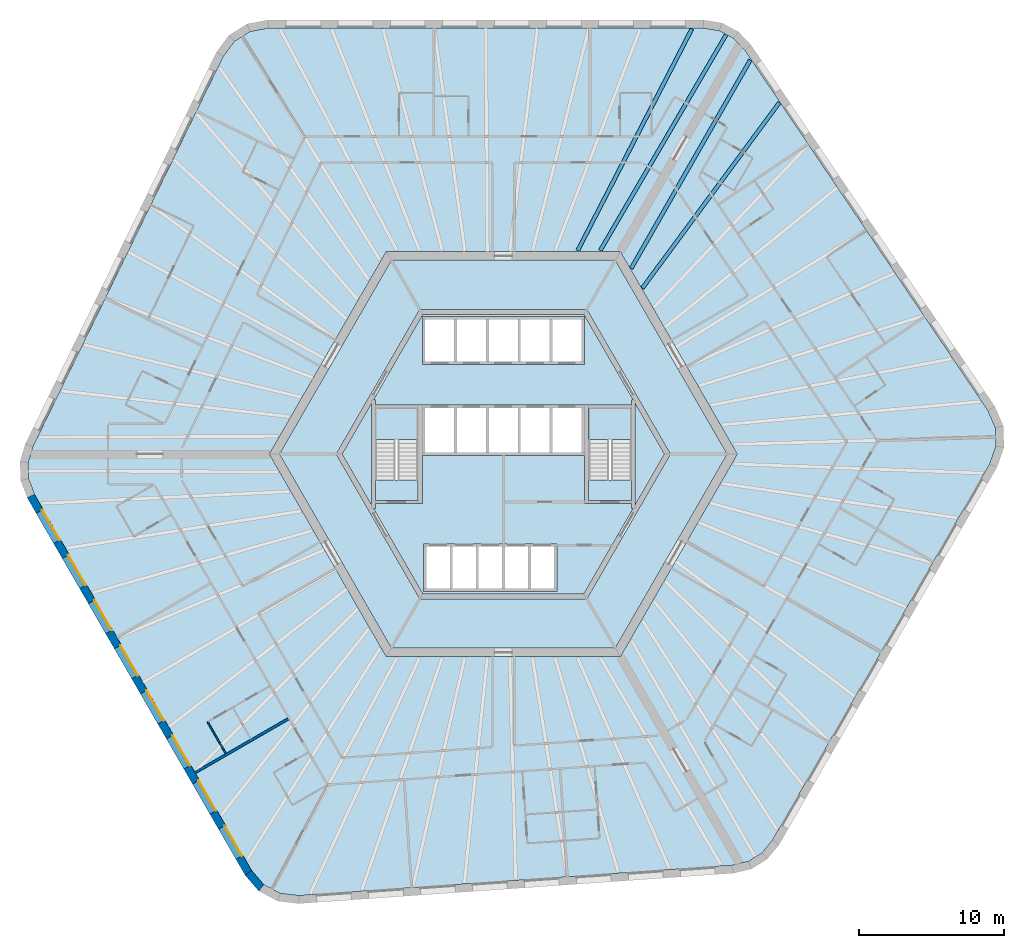
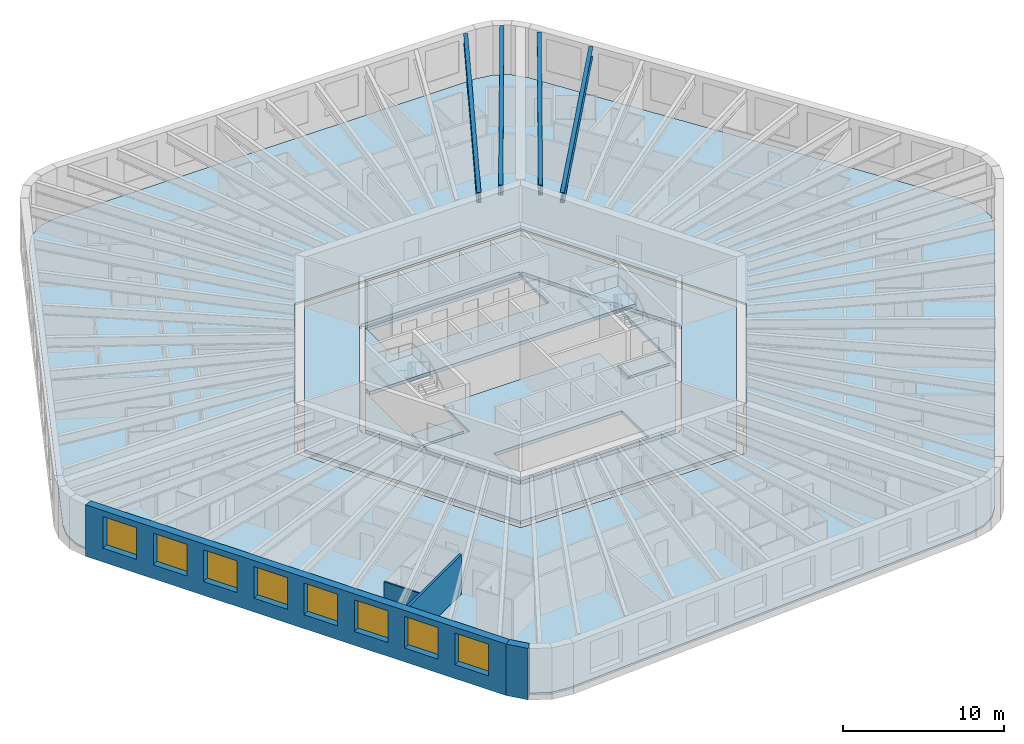
# One storey, part 2 of 11: 10 slabs, 8 windows, 4 beams, 4 walls, 8 openings, 2 elements without a shape of their own.
"""IFC4 building model written with IfcOpenShell, lengths in metres."""

from ifc_helpers import new_model, si_unit, direction, frame, frame_2d, origin, origin_2d, place, context, subcontext, project, spatial, polyline, rectangle, i_section, outline, extrude, material, layer, layer_set, material_profile, profile_set, type_object, element, fill, aggregate, save


model = new_model("IFC4")

# Units and contexts
model_context = context("Model", 3, precision=1e-05, world=origin(), true_north=direction((0.0, 1.0)))
body_context = subcontext(model_context, "Body", "Model", "MODEL_VIEW")
ifc_project = project(units=[si_unit("LENGTHUNIT", "METRE"), si_unit("AREAUNIT", "SQUARE_METRE"), si_unit("VOLUMEUNIT", "CUBIC_METRE"), si_unit("PLANEANGLEUNIT", "RADIAN"), si_unit("MASSUNIT", "GRAM", prefix="KILO")], contexts=[model_context])

# Site, building, storey
site_placement = place(None, origin())
site = spatial("IfcSite", under=ifc_project, at=site_placement, CompositionType="ELEMENT")
building_placement = place(site_placement, origin())
building = spatial("IfcBuilding", under=site, at=building_placement, Name="Tarnside Tower", CompositionType="ELEMENT")
storey_placement = place(building_placement, frame((0.0, 0.0, 41.39990234375)))
storey = spatial("IfcBuildingStorey", under=building, at=storey_placement, Name="L07", CompositionType="ELEMENT", Elevation=41.39990234375)

# Beams
ifc_material_1 = material(Name="Steel S355", Category="steel")
ifc_material_profile = material_profile(ifc_material_1, i_section(OverallWidth=0.2666015625, OverallDepth=0.76220703125, WebThickness=0.014404296875, FlangeThickness=0.021484375, FilletRadius=0.0166015625, at=origin_2d()), Name="UB 762x267x173")
ifc_profile_set = profile_set([ifc_material_profile], Name="Steel S355")
beam_type = type_object("IfcBeamType", Name="Floor beam UB 762x267x173", PredefinedType="BEAM", material=ifc_profile_set)
beam_1_placement = place(storey_placement, frame((13.0283203125, 29.37890625, 3.368896484375), z_axis=(-0.457973226459, -0.888965985765, 0.0), x_axis=(0.888965985765, -0.457973226459, 0.0)))
element("IfcBeam", 1, at=beam_1_placement, inside=storey, type_object=beam_type, Name="Floor beam F1.01", PredefinedType="BEAM", context=body_context, shape_type="SweptSolid", body=[
    extrude(i_section(OverallWidth=0.2666015625, OverallDepth=0.76220703125, WebThickness=0.014404296875, FlangeThickness=0.021484375, FilletRadius=0.0166015625, at=origin_2d()), origin(), (0.0, 0.0, 1.0), 17.219970703125),
])
beam_2_placement = place(storey_placement, frame((19.072021484375, 24.28857421875, 3.368896484375), z_axis=(-0.593986893499, -0.804474717037, 0.0), x_axis=(0.804474717037, -0.593986893499, 0.0)))
element("IfcBeam", 2, at=beam_2_placement, inside=storey, type_object=beam_type, Name="Floor beam F6.08", PredefinedType="BEAM", context=body_context, shape_type="SweptSolid", body=[
    extrude(i_section(OverallWidth=0.2666015625, OverallDepth=0.76220703125, WebThickness=0.014404296875, FlangeThickness=0.021484375, FilletRadius=0.0166015625, at=origin_2d()), origin(), (0.0, 0.0, 1.0), 15.934326171875),
])
beam_3_placement = place(storey_placement, frame((17.066162109375, 27.235107421875, 3.368896484375), z_axis=(-0.49622611841, -0.868193319145, 0.0), x_axis=(0.868193319145, -0.49622611841, 0.0)))
element("IfcBeam", 3, at=beam_3_placement, inside=storey, type_object=beam_type, Name="Floor beam F6.09", PredefinedType="BEAM", context=body_context, shape_type="SweptSolid", body=[
    extrude(i_section(OverallWidth=0.2666015625, OverallDepth=0.76220703125, WebThickness=0.014404296875, FlangeThickness=0.021484375, FilletRadius=0.0166015625, at=origin_2d()), origin(), (0.0, 0.0, 1.0), 16.586669921875),
])
beam_4_placement = place(storey_placement, frame((15.4013671875, 28.990478515625, 3.368896484375), z_axis=(-0.503858723096, -0.863786077198, 0.0), x_axis=(0.863786077198, -0.503858723096, 0.0)))
element("IfcBeam", 4, at=beam_4_placement, inside=storey, type_object=beam_type, Name="Floor beam C6", PredefinedType="BEAM", context=body_context, shape_type="SweptSolid", body=[
    extrude(i_section(OverallWidth=0.2666015625, OverallDepth=0.76220703125, WebThickness=0.014404296875, FlangeThickness=0.021484375, FilletRadius=0.0166015625, at=origin_2d()), origin(), (0.0, 0.0, 1.0), 17.2744140625),
])

# Slabs
ifc_material_2 = material(Name="Concrete C35/45", Category="concrete")
ifc_layer_1 = layer(ifc_material_2, 0.14990234375)
ifc_layer_set_1 = layer_set([ifc_layer_1], Name="Composite floor slab 150")
slab_type_1 = type_object("IfcSlabType", Name="Composite floor slab 150", PredefinedType="FLOOR", material=ifc_layer_set_1)
slab_1_placement = place(storey_placement, frame((0.0, 0.0, -0.14990234375)))
element("IfcSlab", 5, at=slab_1_placement, inside=storey, type_object=slab_type_1, Name="Floor slab L07", PredefinedType="FLOOR", context=body_context, shape_type="SweptSolid", body=[
    extrude(outline(polyline([(14.927490234375, 29.264892578125), (15.91455078125, 28.740234375), (16.697265625, 27.91064453125), (33.48583984375, 3.0205078125), (34.001220703125, 1.825439453125), (34.0458984375, 0.55078125), (33.614990234375, -0.67724609375), (18.603515625, -26.677978515625), (17.880615234375, -27.56005859375), (16.9326171875, -28.15234375), (15.82275390625, -28.41552734375), (-14.127197265625, -30.509765625), (-15.419921875, -30.358642578125), (-16.5458984375, -29.760009765625), (-17.39404296875, -28.772705078125), (-32.405517578125, -2.772216796875), (-32.80810546875, -1.704833984375), (-32.846923828125, -0.587890625), (-32.52001953125, 0.5048828125), (-19.358642578125, 27.4892578125), (-18.58154296875, 28.533203125), (-17.5, 29.208984375), (-16.220947265625, 29.449951171875), (13.802001953125, 29.449951171875), (14.927490234375, 29.264892578125)]), holes=[polyline([(-16.165771484375, 0.0), (-8.0830078125, -14.0), (8.0830078125, -14.0), (16.165771484375, 0.0), (8.0830078125, 14.0), (-8.0830078125, 14.0), (-16.165771484375, 0.0)])]), origin(), (0.0, 0.0, 1.0), 0.14990234375),
])
ifc_material_3 = material(Name="Concrete C40/50", Category="concrete")
ifc_layer_2 = layer(ifc_material_3, 0.25)
ifc_layer_set_2 = layer_set([ifc_layer_2], Name="Core slab C40/50")
slab_type_2 = type_object("IfcSlabType", Name="Core slab C40/50", PredefinedType="FLOOR", material=ifc_layer_set_2)
slab_2_placement = place(storey_placement, frame((0.0, 0.0, -0.25)))
element("IfcSlab", 6, at=slab_2_placement, inside=storey, type_object=slab_type_2, Name="L07 core floor slab 1", PredefinedType="FLOOR", context=body_context, shape_type="SweptSolid", body=[
    extrude(outline(polyline([(-15.472900390625, 0.0), (-7.736572265625, 13.39990234375), (7.736572265625, 13.39990234375), (15.472900390625, 0.0), (7.736572265625, -13.39990234375), (-7.736572265625, -13.39990234375), (-15.472900390625, 0.0)]), holes=[polyline([(5.823974609375, -9.91259765625), (11.49658203125, -0.08740234375), (11.344970703125, 0.0), (11.49658203125, 0.08740234375), (5.823974609375, 9.91259765625), (5.672607421875, 9.824951171875), (5.672607421875, 10.0), (-5.672607421875, 10.0), (-5.672607421875, 9.824951171875), (-5.823974609375, 9.91259765625), (-11.49658203125, 0.08740234375), (-11.344970703125, 0.0), (-11.49658203125, -0.08740234375), (-5.823974609375, -9.91259765625), (-5.672607421875, -9.824951171875), (-5.672607421875, -10.0), (5.672607421875, -10.0), (5.672607421875, -9.824951171875), (5.823974609375, -9.91259765625)])]), origin(), (0.0, 0.0, 1.0), 0.25),
])
slab_3_placement = place(storey_placement, frame((0.0, 0.0, -0.25)))
element("IfcSlab", 7, at=slab_3_placement, inside=storey, type_object=slab_type_2, Name="L07 core floor slab 2", PredefinedType="FLOOR", context=body_context, shape_type="SweptSolid", body=[
    extrude(outline(polyline([(-8.97509765625, 3.7548828125), (-5.5712890625, 9.64990234375), (5.5712890625, 9.64990234375), (8.97509765625, 3.7548828125), (8.85009765625, 3.7548828125), (8.85009765625, 3.39990234375), (5.89990234375, 3.39990234375), (5.60009765625, 3.39990234375), (5.60009765625, 3.39990234375), (-5.60009765625, 3.39990234375), (-5.89990234375, 3.39990234375), (-8.85009765625, 3.39990234375), (-8.85009765625, 3.7548828125), (-8.97509765625, 3.7548828125)]), holes=[polyline([(-5.60009765625, 6.199951171875), (5.60009765625, 6.199951171875), (5.60009765625, 6.39990234375), (5.60009765625, 9.300048828125), (5.60009765625, 9.5), (-5.60009765625, 9.5), (-5.60009765625, 9.300048828125), (-5.60009765625, 6.39990234375), (-5.60009765625, 6.199951171875)])]), origin(), (0.0, 0.0, 1.0), 0.25),
])
slab_4_placement = place(storey_placement, frame((0.0, 0.0, -0.25)))
element("IfcSlab", 8, at=slab_4_placement, inside=storey, type_object=slab_type_2, Name="L07 core floor slab 3", PredefinedType="FLOOR", context=body_context, shape_type="SweptSolid", body=[
    extrude(outline(polyline([(5.60009765625, -3.39990234375), (5.89990234375, -3.39990234375), (8.85009765625, -3.39990234375), (8.85009765625, -3.7548828125), (8.97509765625, -3.7548828125), (5.5712890625, -9.64990234375), (-5.5712890625, -9.64990234375), (-8.97509765625, -3.7548828125), (-8.85009765625, -3.7548828125), (-8.85009765625, -3.39990234375), (-5.89990234375, -3.39990234375), (-5.60009765625, -3.39990234375), (-5.60009765625, -0.10009765625), (5.60009765625, -0.10009765625), (5.60009765625, -3.39990234375)]), holes=[polyline([(-5.5, -9.300048828125), (-5.5, -9.5), (3.699951171875, -9.5), (3.699951171875, -9.300048828125), (3.699951171875, -6.39990234375), (3.699951171875, -6.199951171875), (-5.5, -6.199951171875), (-5.5, -6.39990234375), (-5.5, -9.300048828125)])]), origin(), (0.0, 0.0, 1.0), 0.25),
])
slab_5_placement = place(storey_placement, frame((0.0, 0.0, -0.25)))
element("IfcSlab", 9, at=slab_5_placement, inside=storey, type_object=slab_type_2, Name="L07 core floor slab 4", PredefinedType="FLOOR", context=body_context, shape_type="SweptSolid", body=[
    extrude(outline(polyline([(-11.142822265625, 0.0), (-9.10009765625, 3.538330078125), (-9.10009765625, -3.538330078125), (-11.142822265625, 0.0)])), origin(), (0.0, 0.0, 1.0), 0.25),
])
slab_6_placement = place(storey_placement, frame((0.0, 0.0, -0.25)))
element("IfcSlab", 10, at=slab_6_placement, inside=storey, type_object=slab_type_2, Name="L07 core floor slab 5", PredefinedType="FLOOR", context=body_context, shape_type="SweptSolid", body=[
    extrude(outline(polyline([(-8.85009765625, -1.800048828125), (-5.89990234375, -1.800048828125), (-5.89990234375, -3.199951171875), (-8.85009765625, -3.199951171875), (-8.85009765625, -1.800048828125)])), origin(), (0.0, 0.0, 1.0), 0.25),
])
slab_7_placement = place(storey_placement, frame((0.0, 0.0, -0.25)))
element("IfcSlab", 11, at=slab_7_placement, inside=storey, type_object=slab_type_2, Name="L07 core floor slab 6", PredefinedType="FLOOR", context=body_context, shape_type="SweptSolid", body=[
    extrude(outline(polyline([(5.89990234375, -3.199951171875), (5.89990234375, -1.800048828125), (8.85009765625, -1.800048828125), (8.85009765625, -3.199951171875), (5.89990234375, -3.199951171875)])), origin(), (0.0, 0.0, 1.0), 0.25),
])
slab_8_placement = place(storey_placement, frame((0.0, 0.0, -0.25)))
element("IfcSlab", 12, at=slab_8_placement, inside=storey, type_object=slab_type_2, Name="L07 core floor slab 7", PredefinedType="FLOOR", context=body_context, shape_type="SweptSolid", body=[
    extrude(outline(polyline([(9.10009765625, -3.538330078125), (9.10009765625, 3.538330078125), (11.142822265625, 0.0), (9.10009765625, -3.538330078125)])), origin(), (0.0, 0.0, 1.0), 0.25),
])

# Stair, slab
stair_type = type_object("IfcStairType", Name="Exit stair 1400 clear", PredefinedType="HALF_TURN_STAIR", material=ifc_material_3)
stair_1_placement = place(storey_placement, origin())
stair_1 = element("IfcStair", 13, at=stair_1_placement, inside=storey, type_object=stair_type, Name="L07 Exit stair 1", PredefinedType="HALF_TURN_STAIR")
ifc_layer_3 = layer(ifc_material_3, 0.199951171875)
ifc_layer_set_3 = layer_set([ifc_layer_3], Name="Stair landing 200 C40/50")
slab_type_3 = type_object("IfcSlabType", Name="Stair landing 200 C40/50", PredefinedType="LANDING", material=ifc_layer_set_3)
slab_9_placement = place(storey_placement, frame((0.0, 0.0, 1.75)))
slab_9 = element("IfcSlab", 14, at=slab_9_placement, type_object=slab_type_3, Name="ST1 landing 1", PredefinedType="LANDING", context=body_context, shape_type="SweptSolid", body=[
    extrude(outline(polyline([(8.85009765625, 1.0), (8.85009765625, 3.199951171875), (5.89990234375, 3.199951171875), (5.89990234375, 1.0), (8.85009765625, 1.0)])), origin(), (0.0, 0.0, 1.0), 0.2001953125),
])
aggregate(stair_1, [slab_9])

stair_2_placement = place(storey_placement, origin())
stair_2 = element("IfcStair", 15, at=stair_2_placement, inside=storey, type_object=stair_type, Name="L07 Exit stair 2", PredefinedType="HALF_TURN_STAIR")
slab_10_placement = place(storey_placement, frame((0.0, 0.0, 1.75)))
slab_10 = element("IfcSlab", 16, at=slab_10_placement, type_object=slab_type_3, Name="ST2 landing 1", PredefinedType="LANDING", context=body_context, shape_type="SweptSolid", body=[
    extrude(outline(polyline([(-5.89990234375, 1.0), (-5.89990234375, 3.199951171875), (-8.85009765625, 3.199951171875), (-8.85009765625, 1.0), (-5.89990234375, 1.0)])), origin(), (0.0, 0.0, 1.0), 0.2001953125),
])
aggregate(stair_2, [slab_10])

# Walls
ifc_material_4 = material(Name="Gypsum board partition on steel studs", Category="steel")
ifc_layer_4 = layer(ifc_material_4, 0.179931640625)
ifc_layer_set_4 = layer_set([ifc_layer_4], Name="Demising wall 180 EI 60")
wall_type_1 = type_object("IfcWallType", Name="Demising wall 180 EI 60", PredefinedType="PARTITIONING", material=ifc_layer_set_4)
wall_1_placement = place(storey_placement, frame((-21.298828125, -22.00927734375, 0.0), z_axis=(0.0, 0.0, 1.0), x_axis=(0.866014745021, 0.500018461065, 0.0)))
element("IfcWall", 17, at=wall_1_placement, inside=storey, type_object=wall_type_1, Name="Demising wall 01107", PredefinedType="PARTITIONING", context=body_context, shape_type="SweptSolid", body=[
    extrude(rectangle(XDim=7.425048828125, YDim=0.179931640625, at=frame_2d((3.71240234375, 0.0))), origin(), (0.0, 0.0, 1.0), 2.98779296875),
])
ifc_layer_5 = layer(ifc_material_4, 0.10009765625)
ifc_layer_set_5 = layer_set([ifc_layer_5], Name="Partition 100")
wall_type_2 = type_object("IfcWallType", Name="Partition 100", PredefinedType="PARTITIONING", material=ifc_layer_set_5)
wall_2_placement = place(storey_placement, frame((-19.178955078125, -20.68115234375, 0.0), z_axis=(0.0, 0.0, 1.0), x_axis=(-0.499989096993, 0.866031698547, 0.0)))
element("IfcWall", 18, at=wall_2_placement, inside=storey, type_object=wall_type_2, Name="Partition wall 01105", PredefinedType="PARTITIONING", context=body_context, shape_type="SweptSolid", body=[
    extrude(rectangle(XDim=2.509765625, YDim=0.10009765625, at=frame_2d((1.2548828125, 0.0))), origin(), (0.0, 0.0, 1.0), 2.98779296875),
])

# Wall, openings, windows
ifc_material_5 = material(Name="Facing brick", Category="masonry")
ifc_layer_6 = layer(ifc_material_5, 0.10205078125)
ifc_material_6 = material(Name="Concrete C60/75 precast", Category="concrete")
ifc_layer_7 = layer(ifc_material_6, 0.347900390625)
ifc_material_7 = material(Name="Mineral wool insulation")
ifc_layer_8 = layer(ifc_material_7, 0.10009765625)
ifc_layer_set_6 = layer_set([ifc_layer_6, ifc_layer_7, ifc_layer_8], Name="Tube wall 550 brick faced")
wall_type_3 = type_object("IfcWallType", Name="Tube wall 550 brick faced", PredefinedType="SOLIDWALL", material=ifc_layer_set_6)
wall_3_placement = place(storey_placement, frame((-32.65478515625, -2.89013671875, -0.14990234375), z_axis=(0.0, 0.0, 1.0), x_axis=(0.499997711317, -0.866026725152, 0.0)))
wall_3 = element("IfcWall", 19, at=wall_3_placement, inside=storey, type_object=wall_type_3, Name="Tube wall L07 F3 flush 08", PredefinedType="SOLIDWALL", context=body_context, shape_type="SweptSolid", body=[
    extrude(outline(polyline([(-0.0224609375, -0.27490234375), (30.0966796875, -0.27490234375), (30.04541015625, 0.27490234375), (0.0224609375, 0.27490234375), (-0.0224609375, -0.27490234375)])), origin(), (0.0, 0.0, 1.0), 3.89990234375),
])
opening_1_placement = place(wall_3_placement, frame((1.235595703125, 0.0, 1.050048828125)))
opening_1 = element("IfcOpeningElement", 20, at=opening_1_placement, cuts=wall_3, Name="Opening WH", PredefinedType="OPENING", context=body_context, shape_type="SweptSolid", body=[
    extrude(rectangle(XDim=2.39990234375, YDim=2.39990234375, at=frame_2d((1.199951171875, 1.199951171875))), frame((0.0, 0.28515625, 0.0), z_axis=(0.0, -1.0, 0.0), x_axis=(1.0, 0.0, 0.0)), (0.0, 0.0, 1.0), 0.570068359375),
])
opening_2_placement = place(wall_3_placement, frame((4.83544921875, 0.0, 1.050048828125)))
opening_2 = element("IfcOpeningElement", 21, at=opening_2_placement, cuts=wall_3, Name="Opening WH", PredefinedType="OPENING", context=body_context, shape_type="SweptSolid", body=[
    extrude(rectangle(XDim=2.39990234375, YDim=2.39990234375, at=frame_2d((1.199951171875, 1.199951171875))), frame((0.0, 0.28515625, 0.0), z_axis=(0.0, -1.0, 0.0), x_axis=(1.0, 0.0, 0.0)), (0.0, 0.0, 1.0), 0.570068359375),
])
opening_3_placement = place(wall_3_placement, frame((8.435546875, 0.0, 1.050048828125)))
opening_3 = element("IfcOpeningElement", 22, at=opening_3_placement, cuts=wall_3, Name="Opening WH", PredefinedType="OPENING", context=body_context, shape_type="SweptSolid", body=[
    extrude(rectangle(XDim=2.39990234375, YDim=2.39990234375, at=frame_2d((1.199951171875, 1.199951171875))), frame((0.0, 0.28515625, 0.0), z_axis=(0.0, -1.0, 0.0), x_axis=(1.0, 0.0, 0.0)), (0.0, 0.0, 1.0), 0.570068359375),
])
opening_4_placement = place(wall_3_placement, frame((12.035400390625, 0.0, 1.050048828125)))
opening_4 = element("IfcOpeningElement", 23, at=opening_4_placement, cuts=wall_3, Name="Opening WH", PredefinedType="OPENING", context=body_context, shape_type="SweptSolid", body=[
    extrude(rectangle(XDim=2.39990234375, YDim=2.39990234375, at=frame_2d((1.199951171875, 1.199951171875))), frame((0.0, 0.28515625, 0.0), z_axis=(0.0, -1.0, 0.0), x_axis=(1.0, 0.0, 0.0)), (0.0, 0.0, 1.0), 0.570068359375),
])
opening_5_placement = place(wall_3_placement, frame((15.635498046875, 0.0, 1.050048828125)))
opening_5 = element("IfcOpeningElement", 24, at=opening_5_placement, cuts=wall_3, Name="Opening WH", PredefinedType="OPENING", context=body_context, shape_type="SweptSolid", body=[
    extrude(rectangle(XDim=2.39990234375, YDim=2.39990234375, at=frame_2d((1.199951171875, 1.199951171875))), frame((0.0, 0.28515625, 0.0), z_axis=(0.0, -1.0, 0.0), x_axis=(1.0, 0.0, 0.0)), (0.0, 0.0, 1.0), 0.570068359375),
])
opening_6_placement = place(wall_3_placement, frame((19.235595703125, 0.0, 1.050048828125)))
opening_6 = element("IfcOpeningElement", 25, at=opening_6_placement, cuts=wall_3, Name="Opening WH", PredefinedType="OPENING", context=body_context, shape_type="SweptSolid", body=[
    extrude(rectangle(XDim=2.39990234375, YDim=2.39990234375, at=frame_2d((1.199951171875, 1.199951171875))), frame((0.0, 0.28515625, 0.0), z_axis=(0.0, -1.0, 0.0), x_axis=(1.0, 0.0, 0.0)), (0.0, 0.0, 1.0), 0.570068359375),
])
opening_7_placement = place(wall_3_placement, frame((22.83544921875, 0.0, 1.050048828125)))
opening_7 = element("IfcOpeningElement", 26, at=opening_7_placement, cuts=wall_3, Name="Opening WH", PredefinedType="OPENING", context=body_context, shape_type="SweptSolid", body=[
    extrude(rectangle(XDim=2.39990234375, YDim=2.39990234375, at=frame_2d((1.199951171875, 1.199951171875))), frame((0.0, 0.28515625, 0.0), z_axis=(0.0, -1.0, 0.0), x_axis=(1.0, 0.0, 0.0)), (0.0, 0.0, 1.0), 0.570068359375),
])
opening_8_placement = place(wall_3_placement, frame((26.435546875, 0.0, 1.050048828125)))
opening_8 = element("IfcOpeningElement", 27, at=opening_8_placement, cuts=wall_3, Name="Opening WH", PredefinedType="OPENING", context=body_context, shape_type="SweptSolid", body=[
    extrude(rectangle(XDim=2.39990234375, YDim=2.39990234375, at=frame_2d((1.199951171875, 1.199951171875))), frame((0.0, 0.28515625, 0.0), z_axis=(0.0, -1.0, 0.0), x_axis=(1.0, 0.0, 0.0)), (0.0, 0.0, 1.0), 0.570068359375),
])
ifc_material_8 = material(Name="Aluminium-framed double glazing", Category="aluminium")
window_type = type_object("IfcWindowType", Name="Hotel window 2400 x 2400", PartitioningType="DOUBLE_PANEL_VERTICAL", PredefinedType="WINDOW", material=ifc_material_8)
window_1_placement = place(opening_1_placement, frame((0.0, 0.205078125, 0.0)))
window_1 = element("IfcWindow", 28, at=window_1_placement, inside=storey, type_object=window_type, Name="E.WN.L07.F3.00", OverallHeight=2.39990234375, OverallWidth=2.39990234375, PartitioningType="DOUBLE_PANEL_VERTICAL", PredefinedType="WINDOW", context=body_context, shape_type="SweptSolid", body=[
    extrude(rectangle(XDim=2.39990234375, YDim=2.39990234375, at=frame_2d((1.199951171875, 1.199951171875))), frame((0.0, 0.030029296875, 0.0), z_axis=(0.0, -1.0, 0.0), x_axis=(1.0, 0.0, 0.0)), (0.0, 0.0, 1.0), 0.06005859375),
])
fill(opening_1, window_1)
window_2_placement = place(opening_2_placement, frame((0.0, 0.205078125, 0.0)))
window_2 = element("IfcWindow", 29, at=window_2_placement, inside=storey, type_object=window_type, Name="E.WN.L07.F3.01", OverallHeight=2.39990234375, OverallWidth=2.39990234375, PartitioningType="DOUBLE_PANEL_VERTICAL", PredefinedType="WINDOW", context=body_context, shape_type="SweptSolid", body=[
    extrude(rectangle(XDim=2.39990234375, YDim=2.39990234375, at=frame_2d((1.199951171875, 1.199951171875))), frame((0.0, 0.030029296875, 0.0), z_axis=(0.0, -1.0, 0.0), x_axis=(1.0, 0.0, 0.0)), (0.0, 0.0, 1.0), 0.06005859375),
])
fill(opening_2, window_2)
window_3_placement = place(opening_3_placement, frame((0.0, 0.205078125, 0.0)))
window_3 = element("IfcWindow", 30, at=window_3_placement, inside=storey, type_object=window_type, Name="E.WN.L07.F3.02", OverallHeight=2.39990234375, OverallWidth=2.39990234375, PartitioningType="DOUBLE_PANEL_VERTICAL", PredefinedType="WINDOW", context=body_context, shape_type="SweptSolid", body=[
    extrude(rectangle(XDim=2.39990234375, YDim=2.39990234375, at=frame_2d((1.199951171875, 1.199951171875))), frame((0.0, 0.030029296875, 0.0), z_axis=(0.0, -1.0, 0.0), x_axis=(1.0, 0.0, 0.0)), (0.0, 0.0, 1.0), 0.06005859375),
])
fill(opening_3, window_3)
window_4_placement = place(opening_4_placement, frame((0.0, 0.205078125, 0.0)))
window_4 = element("IfcWindow", 31, at=window_4_placement, inside=storey, type_object=window_type, Name="E.WN.L07.F3.03", OverallHeight=2.39990234375, OverallWidth=2.39990234375, PartitioningType="DOUBLE_PANEL_VERTICAL", PredefinedType="WINDOW", context=body_context, shape_type="SweptSolid", body=[
    extrude(rectangle(XDim=2.39990234375, YDim=2.39990234375, at=frame_2d((1.199951171875, 1.199951171875))), frame((0.0, 0.030029296875, 0.0), z_axis=(0.0, -1.0, 0.0), x_axis=(1.0, 0.0, 0.0)), (0.0, 0.0, 1.0), 0.06005859375),
])
fill(opening_4, window_4)
window_5_placement = place(opening_5_placement, frame((0.0, 0.205078125, 0.0)))
window_5 = element("IfcWindow", 32, at=window_5_placement, inside=storey, type_object=window_type, Name="E.WN.L07.F3.04", OverallHeight=2.39990234375, OverallWidth=2.39990234375, PartitioningType="DOUBLE_PANEL_VERTICAL", PredefinedType="WINDOW", context=body_context, shape_type="SweptSolid", body=[
    extrude(rectangle(XDim=2.39990234375, YDim=2.39990234375, at=frame_2d((1.199951171875, 1.199951171875))), frame((0.0, 0.030029296875, 0.0), z_axis=(0.0, -1.0, 0.0), x_axis=(1.0, 0.0, 0.0)), (0.0, 0.0, 1.0), 0.06005859375),
])
fill(opening_5, window_5)
window_6_placement = place(opening_6_placement, frame((0.0, 0.205078125, 0.0)))
window_6 = element("IfcWindow", 33, at=window_6_placement, inside=storey, type_object=window_type, Name="E.WN.L07.F3.05", OverallHeight=2.39990234375, OverallWidth=2.39990234375, PartitioningType="DOUBLE_PANEL_VERTICAL", PredefinedType="WINDOW", context=body_context, shape_type="SweptSolid", body=[
    extrude(rectangle(XDim=2.39990234375, YDim=2.39990234375, at=frame_2d((1.199951171875, 1.199951171875))), frame((0.0, 0.030029296875, 0.0), z_axis=(0.0, -1.0, 0.0), x_axis=(1.0, 0.0, 0.0)), (0.0, 0.0, 1.0), 0.06005859375),
])
fill(opening_6, window_6)
window_7_placement = place(opening_7_placement, frame((0.0, 0.205078125, 0.0)))
window_7 = element("IfcWindow", 34, at=window_7_placement, inside=storey, type_object=window_type, Name="E.WN.L07.F3.06", OverallHeight=2.39990234375, OverallWidth=2.39990234375, PartitioningType="DOUBLE_PANEL_VERTICAL", PredefinedType="WINDOW", context=body_context, shape_type="SweptSolid", body=[
    extrude(rectangle(XDim=2.39990234375, YDim=2.39990234375, at=frame_2d((1.199951171875, 1.199951171875))), frame((0.0, 0.030029296875, 0.0), z_axis=(0.0, -1.0, 0.0), x_axis=(1.0, 0.0, 0.0)), (0.0, 0.0, 1.0), 0.06005859375),
])
fill(opening_7, window_7)
window_8_placement = place(opening_8_placement, frame((0.0, 0.205078125, 0.0)))
window_8 = element("IfcWindow", 35, at=window_8_placement, inside=storey, type_object=window_type, Name="E.WN.L07.F3.07", OverallHeight=2.39990234375, OverallWidth=2.39990234375, PartitioningType="DOUBLE_PANEL_VERTICAL", PredefinedType="WINDOW", context=body_context, shape_type="SweptSolid", body=[
    extrude(rectangle(XDim=2.39990234375, YDim=2.39990234375, at=frame_2d((1.199951171875, 1.199951171875))), frame((0.0, 0.030029296875, 0.0), z_axis=(0.0, -1.0, 0.0), x_axis=(1.0, 0.0, 0.0)), (0.0, 0.0, 1.0), 0.06005859375),
])
fill(opening_8, window_8)

# Wall
wall_4_placement = place(storey_placement, frame((-17.619384765625, -28.932373046875, -0.14990234375), z_axis=(0.0, 0.0, 1.0), x_axis=(0.651621950847, -0.758543890078, 0.0)))
element("IfcWall", 36, at=wall_4_placement, inside=storey, type_object=wall_type_3, Name="Tube wall L07 F3 chord 09", PredefinedType="SOLIDWALL", context=body_context, shape_type="SweptSolid", body=[
    extrude(outline(polyline([(-0.025634765625, -0.27490234375), (1.430908203125, -0.27490234375), (1.327392578125, 0.27490234375), (0.025634765625, 0.27490234375), (-0.025634765625, -0.27490234375)])), origin(), (0.0, 0.0, 1.0), 3.89990234375),
])

save(model, "model.ifc")
